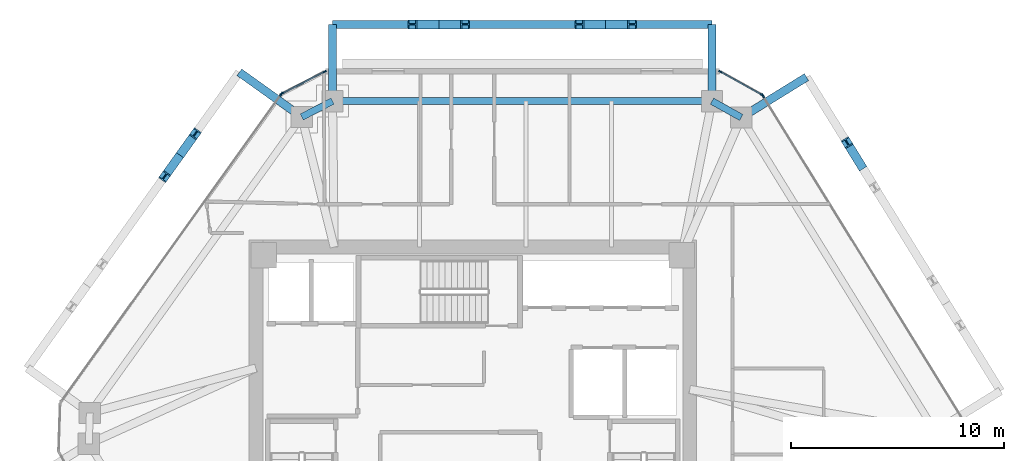
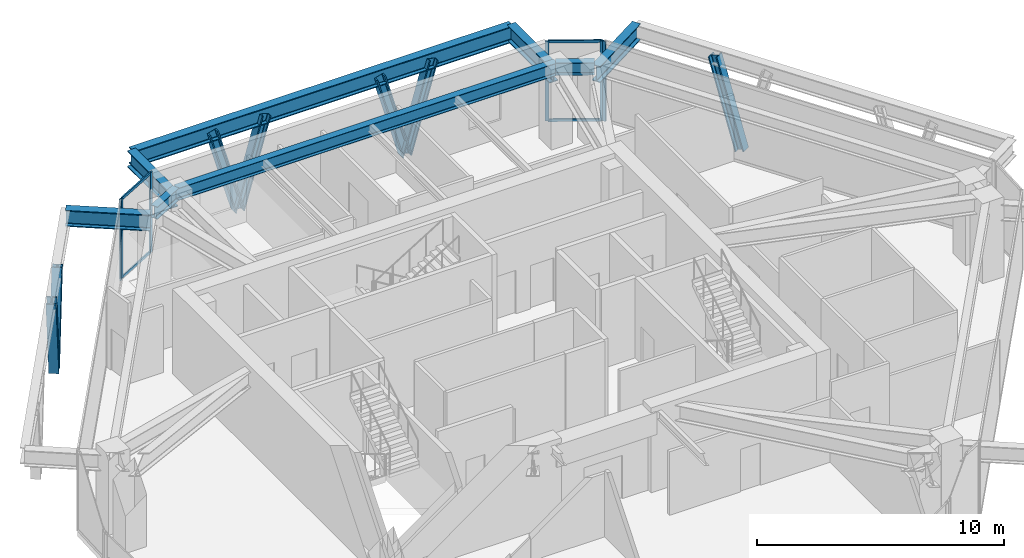
# One storey, part 6 of 11: 17 members, 8 beams, 4 elements without a shape of their own.
"""IFC4 building model written with IfcOpenShell, lengths in metres."""

from ifc_helpers import new_model, si_unit, direction, frame, origin, origin_2d, place, context, subcontext, project, spatial, rectangle, i_section, extrude, source, transform, mapped, material, layer, layer_set, material_profile, profile_set, type_object, type_shapes, element, aggregate, save


model = new_model("IFC4")

# Units and contexts
model_context = context("Model", 3, precision=1e-05, world=origin(), true_north=direction((0.0, 1.0)))
body_context = subcontext(model_context, "Body", "Model", "MODEL_VIEW")
ifc_project = project(units=[si_unit("LENGTHUNIT", "METRE"), si_unit("AREAUNIT", "SQUARE_METRE"), si_unit("VOLUMEUNIT", "CUBIC_METRE"), si_unit("PLANEANGLEUNIT", "RADIAN"), si_unit("MASSUNIT", "GRAM", prefix="KILO")], contexts=[model_context])

# Site, building, storey
site_placement = place(None, origin())
site = spatial("IfcSite", under=ifc_project, at=site_placement, CompositionType="ELEMENT")
building_placement = place(site_placement, origin())
building = spatial("IfcBuilding", under=site, at=building_placement, Name="Durnholm Broadcast Tower", CompositionType="ELEMENT")
storey_placement = place(building_placement, frame((0.0, 0.0, 155.10009765625)))
storey = spatial("IfcBuildingStorey", under=building, at=storey_placement, Name="L42", CompositionType="ELEMENT", Elevation=155.10009765625)

# Beams
ifc_material_1 = material(Name="Steel ASTM A992 Grade 50", Category="steel")
ifc_material_profile_1 = material_profile(ifc_material_1, i_section(OverallWidth=0.385009765625, OverallDepth=0.802978515625, WebThickness=0.023681640625, FlangeThickness=0.0419921875, FilletRadius=0.032958984375, at=origin_2d()), Name="W30X261")
ifc_profile_set_1 = profile_set([ifc_material_profile_1], Name="Steel ASTM A992 Grade 50")
beam_type_1 = type_object("IfcBeamType", Name="BM-EXO-TIE", PredefinedType="USERDEFINED", material=ifc_profile_set_1)
shared_shape_1 = source(origin(), body_context, "Body", "SweptSolid", [
    extrude(i_section(OverallWidth=0.385009765625, OverallDepth=0.802978515625, WebThickness=0.023681640625, FlangeThickness=0.0419921875, FilletRadius=0.032958984375, at=origin_2d()), origin(), (0.0, 0.0, 1.0), 3.4560546875),
])
for number, where, z_axis, x_axis, name in (
    (1, (12.713134765625, 14.327880859375, 3.20849609375), (0.850662348375, 0.525712439512, 0.0), (-0.525712439512, 0.850662348375, 0.0), "L42 exoskeleton stand-off tie bracket F3.2"),
    (2, (-8.138916015625, 14.360107421875, 3.20849609375), (-0.813079048773, 0.582153296346, 0.0), (-0.582153296346, -0.813079048773, 0.0), "L42 exoskeleton stand-off tie bracket F5.1"),
):
    element("IfcBeam", number, at=place(storey_placement, frame(where, z_axis=z_axis, x_axis=x_axis)), inside=storey, type_object=beam_type_1, Name=name, ObjectType="GIRDER", PredefinedType="USERDEFINED", context=body_context, shape_type="MappedRepresentation", body=[
        mapped(shared_shape_1, transform((0.0, 0.0, 0.0), x_axis=(1.0, 0.0, 0.0), y_axis=(0.0, 1.0, 0.0), z_axis=(0.0, 0.0, 1.0), scale=1.0)),
    ])
shared_shape_2 = source(origin(), body_context, "Body", "SweptSolid", [
    extrude(i_section(OverallWidth=0.385009765625, OverallDepth=0.802978515625, WebThickness=0.023681640625, FlangeThickness=0.0419921875, FilletRadius=0.032958984375, at=origin_2d()), origin(), (0.0, 0.0, 1.0), 3.455810546875),
])
for number, where, z_axis, x_axis, name in (
    (3, (11.217529296875, 15.162109375, 3.20849609375), (0.0, 1.0, 0.0), (-1.0, 0.0, 0.0), "L42 exoskeleton stand-off tie bracket F4.1"),
    (4, (-6.57861328125, 15.162109375, 3.20849609375), (0.0, 1.0, 0.0), (-1.0, 0.0, 0.0), "L42 exoskeleton stand-off tie bracket F4.2"),
):
    element("IfcBeam", number, at=place(storey_placement, frame(where, z_axis=z_axis, x_axis=x_axis)), inside=storey, type_object=beam_type_1, Name=name, ObjectType="GIRDER", PredefinedType="USERDEFINED", context=body_context, shape_type="MappedRepresentation", body=[
        mapped(shared_shape_2, transform((0.0, 0.0, 0.0), x_axis=(1.0, 0.0, 0.0), y_axis=(0.0, 1.0, 0.0), z_axis=(0.0, 0.0, 1.0), scale=1.0)),
    ])
ifc_material_profile_2 = material_profile(ifc_material_1, i_section(OverallWidth=0.3251953125, OverallDepth=0.6162109375, WebThickness=0.013916015625, FlangeThickness=0.021484375, FilletRadius=0.02783203125, at=origin_2d()), Name="W24X117")
ifc_profile_set_2 = profile_set([ifc_material_profile_2], Name="Steel ASTM A992 Grade 50")
beam_type_2 = type_object("IfcBeamType", Name="STL-SP-W24X117", PredefinedType="SPANDREL", material=ifc_profile_set_2)
shared_shape_3 = source(origin(), body_context, "Body", "SweptSolid", [
    extrude(i_section(OverallWidth=0.3251953125, OverallDepth=0.6162109375, WebThickness=0.013916015625, FlangeThickness=0.021484375, FilletRadius=0.02783203125, at=origin_2d()), origin(), (0.0, 0.0, 1.0), 1.62255859375),
])
beam_1_placement = place(storey_placement, frame((-8.021728515625, 14.2763671875, 3.63671875), z_axis=(0.889406668864, 0.45711680934, 0.0), x_axis=(-0.45711680934, 0.889406668864, 0.0)))
element("IfcBeam", 5, at=beam_1_placement, inside=storey, type_object=beam_type_2, Name="L42 perimeter spandrel girder 04", PredefinedType="SPANDREL", context=body_context, shape_type="MappedRepresentation", body=[
    mapped(shared_shape_3, transform((0.0, 0.0, 0.0), x_axis=(1.0, 0.0, 0.0), y_axis=(0.0, 1.0, 0.0), z_axis=(0.0, 0.0, 1.0), scale=1.0)),
])
shared_shape_4 = source(origin(), body_context, "Body", "SweptSolid", [
    extrude(i_section(OverallWidth=0.3251953125, OverallDepth=0.6162109375, WebThickness=0.013916015625, FlangeThickness=0.021484375, FilletRadius=0.02783203125, at=origin_2d()), origin(), (0.0, 0.0, 1.0), 17.796142578125),
])
beam_2_placement = place(storey_placement, frame((-6.57861328125, 15.01806640625, 3.63671875), z_axis=(1.0, 0.0, 0.0), x_axis=(0.0, 1.0, 0.0)))
element("IfcBeam", 6, at=beam_2_placement, inside=storey, type_object=beam_type_2, Name="L42 perimeter spandrel girder 05", PredefinedType="SPANDREL", context=body_context, shape_type="MappedRepresentation", body=[
    mapped(shared_shape_4, transform((0.0, 0.0, 0.0), x_axis=(1.0, 0.0, 0.0), y_axis=(0.0, 1.0, 0.0), z_axis=(0.0, 0.0, 1.0), scale=1.0)),
])
shared_shape_5 = source(origin(), body_context, "Body", "SweptSolid", [
    extrude(i_section(OverallWidth=0.3251953125, OverallDepth=0.6162109375, WebThickness=0.013916015625, FlangeThickness=0.021484375, FilletRadius=0.02783203125, at=origin_2d()), origin(), (0.0, 0.0, 1.0), 1.572509765625),
])
type_shapes(beam_type_2, [shared_shape_3, shared_shape_4, shared_shape_5])
beam_3_placement = place(storey_placement, frame((11.217529296875, 15.01806640625, 3.63671875), z_axis=(0.873365144476, -0.487066037017, 0.0), x_axis=(0.487066037017, 0.873365144476, 0.0)))
element("IfcBeam", 7, at=beam_3_placement, inside=storey, type_object=beam_type_2, Name="L42 perimeter spandrel girder 06", PredefinedType="SPANDREL", context=body_context, shape_type="MappedRepresentation", body=[
    mapped(shared_shape_5, transform((0.0, 0.0, 0.0), x_axis=(1.0, 0.0, 0.0), y_axis=(0.0, 1.0, 0.0), z_axis=(0.0, 0.0, 1.0), scale=1.0)),
])
shared_shape_6 = source(origin(), body_context, "Body", "SweptSolid", [
    extrude(i_section(OverallWidth=0.385009765625, OverallDepth=0.802978515625, WebThickness=0.023681640625, FlangeThickness=0.0419921875, FilletRadius=0.032958984375, at=origin_2d()), origin(), (0.0, 0.0, 1.0), 17.796142578125),
])
type_shapes(beam_type_1, [shared_shape_1, shared_shape_2, shared_shape_6])
beam_4_placement = place(storey_placement, frame((11.217529296875, 18.617919921875, 3.20849609375), z_axis=(-1.0, 0.0, 0.0), x_axis=(0.0, -1.0, 0.0)))
element("IfcBeam", 8, at=beam_4_placement, inside=storey, type_object=beam_type_1, Name="L42 exoskeleton collector spandrel F4", PredefinedType="SPANDREL", context=body_context, shape_type="MappedRepresentation", body=[
    mapped(shared_shape_6, transform((0.0, 0.0, 0.0), x_axis=(1.0, 0.0, 0.0), y_axis=(0.0, 1.0, 0.0), z_axis=(0.0, 0.0, 1.0), scale=1.0)),
])

# Members
ifc_material_2 = material(Name="Steel ASTM A913 Grade 65", Category="steel")
ifc_material_profile_3 = material_profile(ifc_material_2, i_section(OverallWidth=0.412109375, OverallDepth=0.434814453125, WebThickness=0.035888671875, FlangeThickness=0.057373046875, FilletRadius=0.030517578125, at=origin_2d()), Name="W14X311")
ifc_profile_set_3 = profile_set([ifc_material_profile_3], Name="Steel ASTM A913 Grade 65")
member_type_1 = type_object("IfcMemberType", Name="STL-DG-W14X311", PredefinedType="BRACE", material=ifc_profile_set_3)
shared_shape_7 = source(origin(), body_context, "Body", "SweptSolid", [
    extrude(i_section(OverallWidth=0.412109375, OverallDepth=0.434814453125, WebThickness=0.035888671875, FlangeThickness=0.057373046875, FilletRadius=0.030517578125, at=origin_2d()), origin(), (0.0, 0.0, 1.0), 4.454345703125),
])
type_shapes(member_type_1, [shared_shape_7])
for number, where, z_axis, x_axis, name in (
    (9, (18.2001953125, 12.023193359375, -1.071533203125), (-0.145627717783, 0.235679031414, 0.960857930167), (-0.850699125742, -0.525652924906, 0.0), "L42 stand-off diagrid brace F3.D2.2"),
    (10, (6.234619140625, 18.617919921875, -1.071533203125), (0.277007876945, 0.0, 0.960867647551), (0.0, 1.0, 0.0), "L42 stand-off diagrid brace F4.D1.1"),
    (11, (6.234619140625, 18.617919921875, -1.071533203125), (-0.277007876945, 0.0, 0.960867647551), (0.0, -1.0, 0.0), "L42 stand-off diagrid brace F4.D1.2"),
    (12, (-1.595703125, 18.617919921875, -1.071533203125), (0.277007876945, 0.0, 0.960867647551), (0.0, 1.0, 0.0), "L42 stand-off diagrid brace F4.D2.1"),
    (13, (-1.595703125, 18.617919921875, -1.071533203125), (-0.277007876945, 0.0, 0.960867647551), (0.0, -1.0, 0.0), "L42 stand-off diagrid brace F4.D2.2"),
    (14, (-13.731689453125, 12.485595703125, -1.071533203125), (0.161250824633, 0.225214017138, 0.960872945836), (-0.813077820009, 0.582155012526, 0.0), "L42 stand-off diagrid brace F5.D1.1"),
    (15, (-13.731689453125, 12.485595703125, -1.071533203125), (-0.161250824633, -0.225214017138, 0.960872945836), (0.813077820009, -0.582155012526, 0.0), "L42 stand-off diagrid brace F5.D1.2"),
):
    element("IfcMember", number, at=place(storey_placement, frame(where, z_axis=z_axis, x_axis=x_axis)), inside=storey, type_object=member_type_1, Name=name, PredefinedType="BRACE", context=body_context, shape_type="MappedRepresentation", body=[
        mapped(shared_shape_7, transform((0.0, 0.0, 0.0), x_axis=(1.0, 0.0, 0.0), y_axis=(0.0, 1.0, 0.0), z_axis=(0.0, 0.0, 1.0), scale=1.0)),
    ])

# Curtain wall, members
ifc_material_3 = material(Name="Aluminium and Solar Control IGU", Category="aluminium")
ifc_layer_1 = layer(ifc_material_3, 0.1650390625)
ifc_layer_set_1 = layer_set([ifc_layer_1], Name="Aluminium and Solar Control IGU")
curtain_wall_type_1 = type_object("IfcCurtainWallType", Name="CW-SYS-5", PredefinedType="NOTDEFINED", material=ifc_layer_set_1)
curtain_wall_1_placement = place(storey_placement, origin())
curtain_wall_1 = element("IfcCurtainWall", 16, at=curtain_wall_1_placement, inside=storey, type_object=curtain_wall_type_1, Name="L42 curtain wall CW-CORNER CW-L42-CRN-03", PredefinedType="NOTDEFINED")
ifc_material_4 = material(Name="Aluminium 6063-T6", Category="aluminium")
ifc_material_profile_4 = material_profile(ifc_material_4, rectangle(XDim=0.06494140625, YDim=0.1650390625, at=origin_2d()), Name="CWM65X165")
ifc_profile_set_4 = profile_set([ifc_material_profile_4], Name="Aluminium 6063-T6")
member_type_2 = type_object("IfcMemberType", Name="CW-SYS-5-MUL", PredefinedType="MULLION", material=ifc_profile_set_4)
shared_shape_8 = source(origin(), body_context, "Body", "SweptSolid", [
    extrude(rectangle(XDim=0.06494140625, YDim=0.1650390625, at=origin_2d()), origin(), (0.0, 0.0, 1.0), 3.9599609375),
])
type_shapes(member_type_2, [shared_shape_8])
member_1_placement = place(storey_placement, frame((-8.93408203125, 15.381591796875, 0.0), z_axis=(0.0, 0.0, 1.0), x_axis=(-0.457081764476, 0.889424679545, 0.0)))
member_1 = element("IfcMember", 17, at=member_1_placement, type_object=member_type_2, Name="CW-CORNER mullion 1", PredefinedType="MULLION", context=body_context, shape_type="MappedRepresentation", body=[
    mapped(shared_shape_8, transform((0.0, 0.0, 0.0), x_axis=(1.0, 0.0, 0.0), y_axis=(0.0, 1.0, 0.0), z_axis=(0.0, 0.0, 1.0), scale=1.0)),
])
member_2_placement = place(storey_placement, frame((-6.9462890625, 16.403076171875, 0.0), z_axis=(0.0, 0.0, 1.0), x_axis=(-0.457081764476, 0.889424679545, 0.0)))
member_2 = element("IfcMember", 18, at=member_2_placement, type_object=member_type_2, Name="CW-CORNER mullion 2", PredefinedType="MULLION", context=body_context, shape_type="MappedRepresentation", body=[
    mapped(shared_shape_8, transform((0.0, 0.0, 0.0), x_axis=(1.0, 0.0, 0.0), y_axis=(0.0, 1.0, 0.0), z_axis=(0.0, 0.0, 1.0), scale=1.0)),
])

curtain_wall_2_placement = place(storey_placement, origin())
curtain_wall_2 = element("IfcCurtainWall", 19, at=curtain_wall_2_placement, inside=storey, type_object=curtain_wall_type_1, Name="L42 curtain wall CW-CORNER CW-L42-CRN-05", PredefinedType="NOTDEFINED")
member_3_placement = place(storey_placement, frame((11.60986328125, 16.402099609375, 0.0), z_axis=(0.0, 0.0, 1.0), x_axis=(0.486986043316, 0.873409751271, 0.0)))
member_3 = element("IfcMember", 20, at=member_3_placement, type_object=member_type_2, Name="CW-CORNER mullion 1", PredefinedType="MULLION", context=body_context, shape_type="MappedRepresentation", body=[
    mapped(shared_shape_8, transform((0.0, 0.0, 0.0), x_axis=(1.0, 0.0, 0.0), y_axis=(0.0, 1.0, 0.0), z_axis=(0.0, 0.0, 1.0), scale=1.0)),
])
member_4_placement = place(storey_placement, frame((13.56201171875, 15.313720703125, 0.0), z_axis=(0.0, 0.0, 1.0), x_axis=(0.486986043316, 0.873409751271, 0.0)))
member_4 = element("IfcMember", 21, at=member_4_placement, type_object=member_type_2, Name="CW-CORNER mullion 2", PredefinedType="MULLION", context=body_context, shape_type="MappedRepresentation", body=[
    mapped(shared_shape_8, transform((0.0, 0.0, 0.0), x_axis=(1.0, 0.0, 0.0), y_axis=(0.0, 1.0, 0.0), z_axis=(0.0, 0.0, 1.0), scale=1.0)),
])

# Curtain wall, member
ifc_layer_2 = layer(ifc_material_3, 0.219970703125)
ifc_layer_set_2 = layer_set([ifc_layer_2], Name="Aluminium and Solar Control IGU")
curtain_wall_type_2 = type_object("IfcCurtainWallType", Name="CW-SYS-6", PredefinedType="NOTDEFINED", material=ifc_layer_set_2)
curtain_wall_3_placement = place(storey_placement, origin())
curtain_wall_3 = element("IfcCurtainWall", 22, at=curtain_wall_3_placement, inside=storey, type_object=curtain_wall_type_2, Name="L42 curtain wall CW-AMENITY CW-L42-F02", PredefinedType="NOTDEFINED")
ifc_material_profile_5 = material_profile(ifc_material_4, rectangle(XDim=0.074951171875, YDim=0.219970703125, at=origin_2d()), Name="CWM75X220")
ifc_profile_set_5 = profile_set([ifc_material_profile_5], Name="Aluminium 6063-T6")
member_type_3 = type_object("IfcMemberType", Name="CW-SYS-6-MUL", PredefinedType="MULLION", material=ifc_profile_set_5)
shared_shape_9 = source(origin(), body_context, "Body", "SweptSolid", [
    extrude(rectangle(XDim=0.074951171875, YDim=0.219970703125, at=origin_2d()), origin(), (0.0, 0.0, 1.0), 3.9599609375),
])
type_shapes(member_type_3, [shared_shape_9])
member_5_placement = place(storey_placement, frame((-8.98486328125, 15.336181640625, 0.0), z_axis=(0.0, 0.0, 1.0), x_axis=(-0.813089262696, 0.582139030549, 0.0)))
member_5 = element("IfcMember", 23, at=member_5_placement, type_object=member_type_3, Name="CW-AMENITY mullion 2", PredefinedType="MULLION", context=body_context, shape_type="MappedRepresentation", body=[
    mapped(shared_shape_9, transform((0.0, 0.0, 0.0), x_axis=(1.0, 0.0, 0.0), y_axis=(0.0, 1.0, 0.0), z_axis=(0.0, 0.0, 1.0), scale=1.0)),
])
aggregate(curtain_wall_3, [member_5])

curtain_wall_4_placement = place(storey_placement, origin())
curtain_wall_4 = element("IfcCurtainWall", 24, at=curtain_wall_4_placement, inside=storey, type_object=curtain_wall_type_2, Name="L42 curtain wall CW-AMENITY CW-L42-F06", PredefinedType="NOTDEFINED")
member_6_placement = place(storey_placement, frame((13.610107421875, 15.26611328125, 0.0), z_axis=(0.0, 0.0, 1.0), x_axis=(0.850671426092, 0.525697750452, 0.0)))
member_6 = element("IfcMember", 25, at=member_6_placement, type_object=member_type_3, Name="CW-AMENITY mullion 1", PredefinedType="MULLION", context=body_context, shape_type="MappedRepresentation", body=[
    mapped(shared_shape_9, transform((0.0, 0.0, 0.0), x_axis=(1.0, 0.0, 0.0), y_axis=(0.0, 1.0, 0.0), z_axis=(0.0, 0.0, 1.0), scale=1.0)),
])
aggregate(curtain_wall_4, [member_6])

# Member
ifc_material_profile_6 = material_profile(ifc_material_4, rectangle(XDim=0.06494140625, YDim=0.1298828125, at=origin_2d()), Name="CWT65X130")
ifc_profile_set_6 = profile_set([ifc_material_profile_6], Name="Aluminium 6063-T6")
member_type_4 = type_object("IfcMemberType", Name="CW-SYS-5-TRN", PredefinedType="USERDEFINED", material=ifc_profile_set_6)
shared_shape_10 = source(origin(), body_context, "Body", "SweptSolid", [
    extrude(rectangle(XDim=0.06494140625, YDim=0.1298828125, at=origin_2d()), origin(), (0.0, 0.0, 1.0), 2.169921875),
])
type_shapes(member_type_4, [shared_shape_10])
member_7_placement = place(storey_placement, frame((-8.9052734375, 15.396484375, 0.032470703125), z_axis=(0.889468148591, 0.456997169185, 0.0), x_axis=(-0.456997169185, 0.889468148591, 0.0)))
member_7 = element("IfcMember", 26, at=member_7_placement, type_object=member_type_4, Name="CW-CORNER transom 1.1", ObjectType="TRANSOM", PredefinedType="USERDEFINED", context=body_context, shape_type="MappedRepresentation", body=[
    mapped(shared_shape_10, transform((0.0, 0.0, 0.0), x_axis=(1.0, 0.0, 0.0), y_axis=(0.0, 1.0, 0.0), z_axis=(0.0, 0.0, 1.0), scale=1.0)),
])

member_8_placement = place(storey_placement, frame((-8.9052734375, 15.396484375, 3.927490234375), z_axis=(0.889468148591, 0.456997169185, 0.0), x_axis=(-0.456997169185, 0.889468148591, 0.0)))
member_8 = element("IfcMember", 27, at=member_8_placement, type_object=member_type_4, Name="CW-CORNER transom 1.2", ObjectType="TRANSOM", PredefinedType="USERDEFINED", context=body_context, shape_type="MappedRepresentation", body=[
    mapped(shared_shape_10, transform((0.0, 0.0, 0.0), x_axis=(1.0, 0.0, 0.0), y_axis=(0.0, 1.0, 0.0), z_axis=(0.0, 0.0, 1.0), scale=1.0)),
])

aggregate(curtain_wall_1, [member_1, member_2, member_7, member_8])

member_9_placement = place(storey_placement, frame((11.63818359375, 16.38623046875, 0.032470703125), z_axis=(0.873429215361, -0.48695113282, 0.0), x_axis=(0.48695113282, 0.873429215361, 0.0)))
member_9 = element("IfcMember", 28, at=member_9_placement, type_object=member_type_4, Name="CW-CORNER transom 1.1", ObjectType="TRANSOM", PredefinedType="USERDEFINED", context=body_context, shape_type="MappedRepresentation", body=[
    mapped(shared_shape_10, transform((0.0, 0.0, 0.0), x_axis=(1.0, 0.0, 0.0), y_axis=(0.0, 1.0, 0.0), z_axis=(0.0, 0.0, 1.0), scale=1.0)),
])

member_10_placement = place(storey_placement, frame((11.63818359375, 16.38623046875, 3.927490234375), z_axis=(0.873429215361, -0.48695113282, 0.0), x_axis=(0.48695113282, 0.873429215361, 0.0)))
member_10 = element("IfcMember", 29, at=member_10_placement, type_object=member_type_4, Name="CW-CORNER transom 1.2", ObjectType="TRANSOM", PredefinedType="USERDEFINED", context=body_context, shape_type="MappedRepresentation", body=[
    mapped(shared_shape_10, transform((0.0, 0.0, 0.0), x_axis=(1.0, 0.0, 0.0), y_axis=(0.0, 1.0, 0.0), z_axis=(0.0, 0.0, 1.0), scale=1.0)),
])

aggregate(curtain_wall_2, [member_3, member_4, member_9, member_10])

save(model, "model.ifc")
